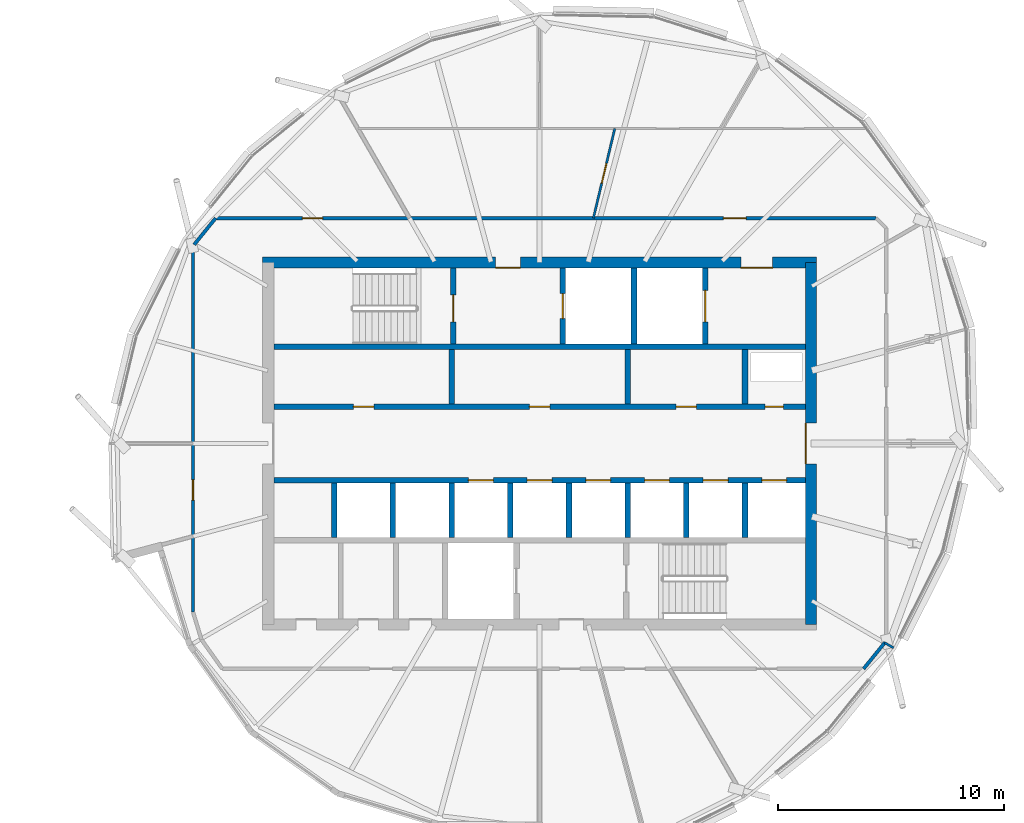
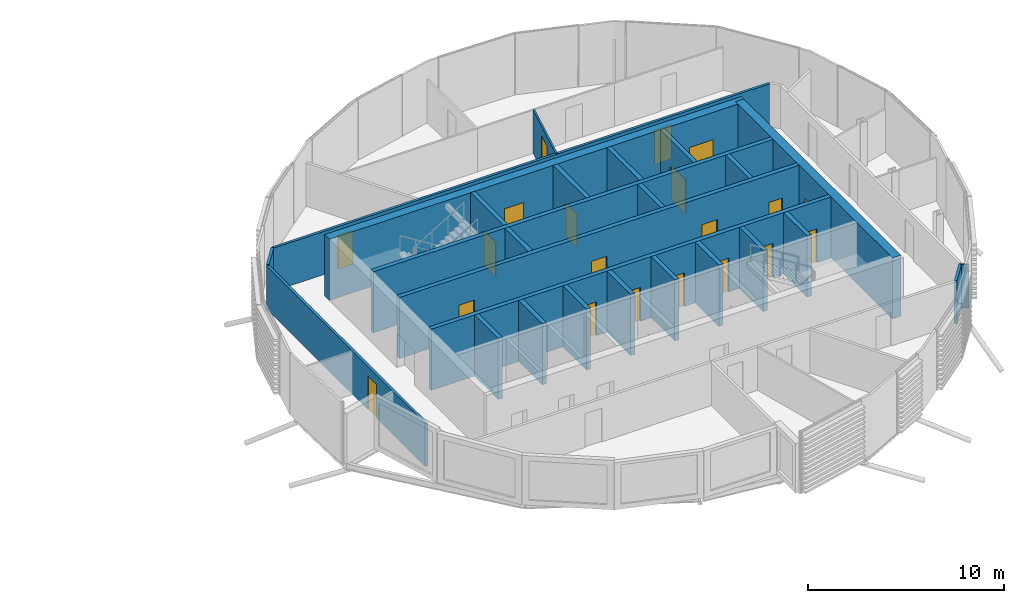
# One storey, part 20 of 34: 26 walls, 20 doors, 20 openings.
"""IFC4 building model written with IfcOpenShell, lengths in metres."""

from ifc_helpers import new_model, si_unit, direction, frame, frame_2d, origin, place, context, subcontext, project, spatial, rectangle, extrude, material, layer, layer_set, type_object, element, fill, save


model = new_model("IFC4")

# Units and contexts
model_context = context("Model", 3, precision=1e-05, world=origin(), true_north=direction((0.0, 1.0)))
body_context = subcontext(model_context, "Body", "Model", "MODEL_VIEW")
ifc_project = project(units=[si_unit("LENGTHUNIT", "METRE"), si_unit("AREAUNIT", "SQUARE_METRE"), si_unit("VOLUMEUNIT", "CUBIC_METRE"), si_unit("PLANEANGLEUNIT", "RADIAN"), si_unit("MASSUNIT", "GRAM", prefix="KILO")], contexts=[model_context])

# Site, building, storey
site_placement = place(None, origin())
site = spatial("IfcSite", under=ifc_project, at=site_placement, CompositionType="ELEMENT")
building_placement = place(site_placement, origin())
building = spatial("IfcBuilding", under=site, at=building_placement, Name="Rimbun Link Towers", CompositionType="ELEMENT")
storey_placement = place(building_placement, frame((0.0, 0.0, 252.300048828125)))
storey = spatial("IfcBuildingStorey", under=building, at=storey_placement, Name="L62", CompositionType="ELEMENT", Elevation=252.300048828125)

# Wall, openings, doors
ifc_material_1 = material(Name="Concrete C60/75", Category="concrete")
ifc_layer_1 = layer(ifc_material_1, 0.5)
ifc_layer_set_1 = layer_set([ifc_layer_1], Name="Core shear wall 500")
wall_type_1 = type_object("IfcWallType", Name="Core shear wall 500", PredefinedType="SHEAR", material=ifc_layer_set_1)
wall_1_placement = place(storey_placement, frame((19.5, 8.0, 0.0), z_axis=(0.0, 0.0, 1.0), x_axis=(1.0, 0.0, 0.0)))
wall_1 = element("IfcWall", 1, at=wall_1_placement, inside=storey, type_object=wall_type_1, Name="L62 T2 core wall N", PredefinedType="SHEAR", context=body_context, shape_type="SweptSolid", body=[
    extrude(rectangle(XDim=24.5, YDim=0.5, at=frame_2d((12.25, 0.0))), origin(), (0.0, 0.0, 1.0), 3.800048828125),
])
opening_1_placement = place(wall_1_placement, frame((10.300048828125, 0.0, 0.0)))
opening_1 = element("IfcOpeningElement", 2, at=opening_1_placement, cuts=wall_1, Name="Opening C2DCF01N", PredefinedType="OPENING", context=body_context, shape_type="SweptSolid", body=[
    extrude(rectangle(XDim=1.10009765625, YDim=2.10009765625, at=frame_2d((0.550048828125, 1.050048828125))), frame((0.0, 0.260009765625, 0.0), z_axis=(0.0, -1.0, 0.0), x_axis=(1.0, 0.0, 0.0)), (0.0, 0.0, 1.0), 0.52001953125),
])
opening_2_placement = place(wall_1_placement, frame((21.14990234375, 0.0, 0.0)))
opening_2 = element("IfcOpeningElement", 3, at=opening_2_placement, cuts=wall_1, Name="Opening C2DSL02N", PredefinedType="OPENING", context=body_context, shape_type="SweptSolid", body=[
    extrude(rectangle(XDim=1.39990234375, YDim=2.10009765625, at=frame_2d((0.699951171875, 1.050048828125))), frame((0.0, 0.260009765625, 0.0), z_axis=(0.0, -1.0, 0.0), x_axis=(1.0, 0.0, 0.0)), (0.0, 0.0, 1.0), 0.52001953125),
])
ifc_material_2 = material(Name="Steel fire door set", Category="steel")
door_type_1 = type_object("IfcDoorType", Name="Core fire door single", OperationType="SINGLE_SWING_LEFT", PredefinedType="DOOR", material=ifc_material_2)
door_1_placement = place(opening_1_placement, origin())
door_1 = element("IfcDoor", 4, at=door_1_placement, inside=storey, type_object=door_type_1, Name="L62 T2 firefighting lobby n door", OperationType="SINGLE_SWING_LEFT", OverallHeight=2.10009765625, OverallWidth=1.10009765625, PredefinedType="DOOR", context=body_context, shape_type="SweptSolid", body=[
    extrude(rectangle(XDim=1.10009765625, YDim=2.10009765625, at=frame_2d((0.550048828125, 1.050048828125))), frame((0.0, -0.2001953125, 0.0), z_axis=(0.0, -1.0, 0.0), x_axis=(1.0, 0.0, 0.0)), (0.0, 0.0, 1.0), 0.050048828125),
])
fill(opening_1, door_1)
ifc_material_3 = material(Name="Steel fire door set", Category="steel")
door_type_2 = type_object("IfcDoorType", Name="Service lobby door double", OperationType="DOUBLE_DOOR_SINGLE_SWING", PredefinedType="DOOR", material=ifc_material_3)
door_2_placement = place(opening_2_placement, origin())
door_2 = element("IfcDoor", 5, at=door_2_placement, inside=storey, type_object=door_type_2, Name="L62 T2 service lobby door", OperationType="DOUBLE_DOOR_SINGLE_SWING", OverallHeight=2.10009765625, OverallWidth=1.39990234375, PredefinedType="DOOR", context=body_context, shape_type="SweptSolid", body=[
    extrude(rectangle(XDim=1.39990234375, YDim=2.10009765625, at=frame_2d((0.699951171875, 1.050048828125))), frame((0.0, -0.2001953125, 0.0), z_axis=(0.0, -1.0, 0.0), x_axis=(1.0, 0.0, 0.0)), (0.0, 0.0, 1.0), 0.050048828125),
])
fill(opening_2, door_2)

# Wall, opening, door
wall_2_placement = place(storey_placement, frame((43.75, -8.0, 0.0), z_axis=(0.0, 0.0, 1.0), x_axis=(0.0, 1.0, 0.0)))
wall_2 = element("IfcWall", 6, at=wall_2_placement, inside=storey, type_object=wall_type_1, Name="L62 T2 core wall E", PredefinedType="SHEAR", context=body_context, shape_type="SweptSolid", body=[
    extrude(rectangle(XDim=16.0, YDim=0.5, at=frame_2d((8.0, 0.0))), origin(), (0.0, 0.0, 1.0), 3.800048828125),
])
opening_3_placement = place(wall_2_placement, frame((7.10009765625, 0.0, 0.0)))
opening_3 = element("IfcOpeningElement", 7, at=opening_3_placement, cuts=wall_2, Name="Opening C2DCL01E", PredefinedType="OPENING", context=body_context, shape_type="SweptSolid", body=[
    extrude(rectangle(XDim=1.800048828125, YDim=2.10009765625, at=frame_2d((0.89990234375, 1.050048828125))), frame((0.0, 0.260009765625, 0.0), z_axis=(0.0, -1.0, 0.0), x_axis=(1.0, 0.0, 0.0)), (0.0, 0.0, 1.0), 0.52001953125),
])
ifc_material_4 = material(Name="Steel fire door set", Category="steel")
door_type_3 = type_object("IfcDoorType", Name="Core lobby door double", OperationType="DOUBLE_DOOR_SINGLE_SWING", PredefinedType="DOOR", material=ifc_material_4)
door_3_placement = place(opening_3_placement, origin())
door_3 = element("IfcDoor", 8, at=door_3_placement, inside=storey, type_object=door_type_3, Name="L62 T2 lift lobby door", OperationType="DOUBLE_DOOR_SINGLE_SWING", OverallHeight=2.10009765625, OverallWidth=1.800048828125, PredefinedType="DOOR", context=body_context, shape_type="SweptSolid", body=[
    extrude(rectangle(XDim=1.800048828125, YDim=2.10009765625, at=frame_2d((0.89990234375, 1.050048828125))), frame((0.0, 0.25, 0.0), z_axis=(0.0, -1.0, 0.0), x_axis=(1.0, 0.0, 0.0)), (0.0, 0.0, 1.0), 0.050048828125),
])
fill(opening_3, door_3)

# Wall
ifc_material_5 = material(Name="Plasterboard on steel stud, mineral wool", Category="steel")
ifc_layer_2 = layer(ifc_material_5, 0.14990234375)
ifc_layer_set_2 = layer_set([ifc_layer_2], Name="Corridor wall EI 30 150 mm")
wall_type_2 = type_object("IfcWallType", Name="Corridor wall EI 30 150 mm", PredefinedType="PARTITIONING", material=ifc_layer_set_2)
wall_3_placement = place(storey_placement, frame((46.07568359375, -9.965087890625, 0.0), z_axis=(0.0, 0.0, 1.0), x_axis=(0.629146995638, 0.77728634227, 0.0)))
element("IfcWall", 9, at=wall_3_placement, inside=storey, type_object=wall_type_2, Name="Corridor wall EI 30 150 mm", PredefinedType="PARTITIONING", context=body_context, shape_type="SweptSolid", body=[
    extrude(rectangle(XDim=1.508056640625, YDim=0.14990234375, at=frame_2d((0.75390625, 0.0))), origin(), (0.0, 0.0, 1.0), 2.681884765625),
])

# Wall, opening, door
wall_4_placement = place(storey_placement, frame((16.425048828125, -7.4541015625, 0.0), z_axis=(0.0, 0.0, 1.0), x_axis=(0.0, 1.0, 0.0)))
wall_4 = element("IfcWall", 10, at=wall_4_placement, inside=storey, type_object=wall_type_2, Name="Corridor wall EI 30 150 mm", PredefinedType="PARTITIONING", context=body_context, shape_type="SweptSolid", body=[
    extrude(rectangle(XDim=16.146240234375, YDim=0.14990234375, at=frame_2d((8.0732421875, 0.0))), origin(), (0.0, 0.0, 1.0), 2.681884765625),
])
opening_4_placement = place(wall_4_placement, frame((4.950927734375, 0.0, 0.0)))
opening_4 = element("IfcOpeningElement", 11, at=opening_4_placement, cuts=wall_4, Name="Opening D02", PredefinedType="OPENING", context=body_context, shape_type="SweptSolid", body=[
    extrude(rectangle(XDim=0.89990234375, YDim=2.10009765625, at=frame_2d((0.449951171875, 1.050048828125))), frame((0.0, 0.0849609375, 0.0), z_axis=(0.0, -1.0, 0.0), x_axis=(1.0, 0.0, 0.0)), (0.0, 0.0, 1.0), 0.169921875),
])
ifc_material_6 = material(Name="Fire-resisting timber door leaf", Category="wood")
door_type_4 = type_object("IfcDoorType", Name="Fire door FD30S 900", OperationType="NOTDEFINED", PredefinedType="DOOR", material=ifc_material_6)
door_4_placement = place(opening_4_placement, origin())
door_4 = element("IfcDoor", 12, at=door_4_placement, inside=storey, type_object=door_type_4, Name="Fire door FD30S 900 to Meeting room", OperationType="SINGLE_SWING_LEFT", OverallHeight=2.10009765625, OverallWidth=0.89990234375, PredefinedType="DOOR", context=body_context, shape_type="SweptSolid", body=[
    extrude(rectangle(XDim=0.89990234375, YDim=2.10009765625, at=frame_2d((0.449951171875, 1.050048828125))), frame((0.0, 0.02490234375, 0.0), z_axis=(0.0, -1.0, 0.0), x_axis=(1.0, 0.0, 0.0)), (0.0, 0.0, 1.0), 0.050048828125),
])
fill(opening_4, door_4)

# Wall
wall_5_placement = place(storey_placement, frame((17.42431640625, 9.965087890625, 0.0), z_axis=(0.0, 0.0, 1.0), x_axis=(-0.629146995638, -0.77728634227, 0.0)))
element("IfcWall", 13, at=wall_5_placement, inside=storey, type_object=wall_type_2, Name="Corridor wall EI 30 150 mm", PredefinedType="PARTITIONING", context=body_context, shape_type="SweptSolid", body=[
    extrude(rectangle(XDim=1.508056640625, YDim=0.14990234375, at=frame_2d((0.75390625, 0.0))), origin(), (0.0, 0.0, 1.0), 2.681884765625),
])

# Wall, openings, doors
wall_6_placement = place(storey_placement, frame((17.42431640625, 9.965087890625, 0.0), z_axis=(0.0, 0.0, 1.0), x_axis=(1.0, 0.0, 0.0)))
wall_6 = element("IfcWall", 14, at=wall_6_placement, inside=storey, type_object=wall_type_2, Name="Corridor wall EI 30 150 mm", PredefinedType="PARTITIONING", context=body_context, shape_type="SweptSolid", body=[
    extrude(rectangle(XDim=29.20947265625, YDim=0.14990234375, at=frame_2d((14.604736328125, 0.0))), origin(), (0.0, 0.0, 1.0), 2.681884765625),
])
opening_5_placement = place(wall_6_placement, frame((22.456787109375, 0.0, 0.0)))
opening_5 = element("IfcOpeningElement", 15, at=opening_5_placement, cuts=wall_6, Name="Opening D01", PredefinedType="OPENING", context=body_context, shape_type="SweptSolid", body=[
    extrude(rectangle(XDim=1.0, YDim=2.10009765625, at=frame_2d((0.5, 1.050048828125))), frame((0.0, 0.0849609375, 0.0), z_axis=(0.0, -1.0, 0.0), x_axis=(1.0, 0.0, 0.0)), (0.0, 0.0, 1.0), 0.169921875),
])
opening_6_placement = place(wall_6_placement, frame((3.836181640625, 0.0, 0.0)))
opening_6 = element("IfcOpeningElement", 16, at=opening_6_placement, cuts=wall_6, Name="Opening D02", PredefinedType="OPENING", context=body_context, shape_type="SweptSolid", body=[
    extrude(rectangle(XDim=0.89990234375, YDim=2.10009765625, at=frame_2d((0.449951171875, 1.050048828125))), frame((0.0, 0.0849609375, 0.0), z_axis=(0.0, -1.0, 0.0), x_axis=(1.0, 0.0, 0.0)), (0.0, 0.0, 1.0), 0.169921875),
])
ifc_material_7 = material(Name="Fire-resisting timber door leaf", Category="wood")
door_type_5 = type_object("IfcDoorType", Name="Fire door FD30S 1000", OperationType="NOTDEFINED", PredefinedType="DOOR", material=ifc_material_7)
door_5_placement = place(opening_5_placement, origin())
door_5 = element("IfcDoor", 17, at=door_5_placement, inside=storey, type_object=door_type_5, Name="Fire door FD30S 1000 to Reception", OperationType="SINGLE_SWING_LEFT", OverallHeight=2.10009765625, OverallWidth=1.0, PredefinedType="DOOR", context=body_context, shape_type="SweptSolid", body=[
    extrude(rectangle(XDim=1.0, YDim=2.10009765625, at=frame_2d((0.5, 1.050048828125))), frame((0.0, 0.02490234375, 0.0), z_axis=(0.0, -1.0, 0.0), x_axis=(1.0, 0.0, 0.0)), (0.0, 0.0, 1.0), 0.050048828125),
])
fill(opening_5, door_5)
door_6_placement = place(opening_6_placement, origin())
door_6 = element("IfcDoor", 18, at=door_6_placement, inside=storey, type_object=door_type_4, Name="Fire door FD30S 900 to Boardroom", OperationType="SINGLE_SWING_RIGHT", OverallHeight=2.10009765625, OverallWidth=0.89990234375, PredefinedType="DOOR", context=body_context, shape_type="SweptSolid", body=[
    extrude(rectangle(XDim=0.89990234375, YDim=2.10009765625, at=frame_2d((0.449951171875, 1.050048828125))), frame((0.0, 0.02490234375, 0.0), z_axis=(0.0, -1.0, 0.0), x_axis=(1.0, 0.0, 0.0)), (0.0, 0.0, 1.0), 0.050048828125),
])
fill(opening_6, door_6)

# Wall
ifc_material_8 = material(Name="Plasterboard on steel stud", Category="steel")
ifc_layer_3 = layer(ifc_material_8, 0.10009765625)
ifc_layer_set_3 = layer_set([ifc_layer_3], Name="Plasterboard partition 100 mm")
wall_type_3 = type_object("IfcWallType", Name="Plasterboard partition 100 mm", PredefinedType="PARTITIONING", material=ifc_layer_set_3)
wall_7_placement = place(storey_placement, frame((47.40478515625, -9.038330078125, 0.0), z_axis=(0.0, 0.0, 1.0), x_axis=(-0.866158831638, 0.499768824934, 0.0)))
element("IfcWall", 19, at=wall_7_placement, inside=storey, type_object=wall_type_3, Name="Plasterboard partition 100 mm", PredefinedType="PARTITIONING", context=body_context, shape_type="SweptSolid", body=[
    extrude(rectangle(XDim=0.455810546875, YDim=0.10009765625, at=frame_2d((0.22802734375, 0.0))), origin(), (0.0, 0.0, 1.0), 2.681884765625),
])

# Wall, opening, door
wall_8_placement = place(storey_placement, frame((34.128662109375, 9.965087890625, 0.0), z_axis=(0.0, 0.0, 1.0), x_axis=(0.232193393639, 0.972669639677, 0.0)))
wall_8 = element("IfcWall", 20, at=wall_8_placement, inside=storey, type_object=wall_type_3, Name="Plasterboard partition 100 mm", PredefinedType="PARTITIONING", context=body_context, shape_type="SweptSolid", body=[
    extrude(rectangle(XDim=4.0712890625, YDim=0.10009765625, at=frame_2d((2.03564453125, 0.0))), origin(), (0.0, 0.0, 1.0), 2.681884765625),
])
opening_7_placement = place(wall_8_placement, frame((1.585693359375, 0.0, 0.0)))
opening_7 = element("IfcOpeningElement", 21, at=opening_7_placement, cuts=wall_8, Name="Opening D04", PredefinedType="OPENING", context=body_context, shape_type="SweptSolid", body=[
    extrude(rectangle(XDim=0.89990234375, YDim=2.10009765625, at=frame_2d((0.449951171875, 1.050048828125))), frame((0.0, 0.06005859375, 0.0), z_axis=(0.0, -1.0, 0.0), x_axis=(1.0, 0.0, 0.0)), (0.0, 0.0, 1.0), 0.1201171875),
])
ifc_material_9 = material(Name="Timber door leaf", Category="wood")
door_type_6 = type_object("IfcDoorType", Name="Flush door 900", OperationType="NOTDEFINED", PredefinedType="DOOR", material=ifc_material_9)
door_7_placement = place(opening_7_placement, origin())
door_7 = element("IfcDoor", 22, at=door_7_placement, inside=storey, type_object=door_type_6, Name="Flush door 900 to Meeting room", OperationType="SINGLE_SWING_LEFT", OverallHeight=2.10009765625, OverallWidth=0.89990234375, PredefinedType="DOOR", context=body_context, shape_type="SweptSolid", body=[
    extrude(rectangle(XDim=0.89990234375, YDim=2.10009765625, at=frame_2d((0.449951171875, 1.050048828125))), frame((0.0, 0.02490234375, 0.0), z_axis=(0.0, -1.0, 0.0), x_axis=(1.0, 0.0, 0.0)), (0.0, 0.0, 1.0), 0.050048828125),
])
fill(opening_7, door_7)

# Wall
ifc_material_10 = material(Name="Concrete C60/75", Category="concrete")
ifc_layer_4 = layer(ifc_material_10, 0.25)
ifc_layer_set_4 = layer_set([ifc_layer_4], Name="Shaft wall 250")
wall_type_4 = type_object("IfcWallType", Name="Shaft wall 250", PredefinedType="SHEAR", material=ifc_layer_set_4)
wall_9_placement = place(storey_placement, frame((20.0, 4.27490234375, 0.0), z_axis=(0.0, 0.0, 1.0), x_axis=(1.0, 0.0, 0.0)))
element("IfcWall", 23, at=wall_9_placement, inside=storey, type_object=wall_type_4, Name="L62 T2 core wall BN", PredefinedType="SHEAR", context=body_context, shape_type="SweptSolid", body=[
    extrude(rectangle(XDim=23.5, YDim=0.25, at=frame_2d((11.75, 0.0))), origin(), (0.0, 0.0, 1.0), 3.800048828125),
])

# Wall, openings, doors
wall_10_placement = place(storey_placement, frame((20.0, 1.625, 0.0), z_axis=(0.0, 0.0, 1.0), x_axis=(1.0, 0.0, 0.0)))
wall_10 = element("IfcWall", 24, at=wall_10_placement, inside=storey, type_object=wall_type_4, Name="L62 T2 core wall FN", PredefinedType="SHEAR", context=body_context, shape_type="SweptSolid", body=[
    extrude(rectangle(XDim=23.5, YDim=0.25, at=frame_2d((11.75, 0.0))), origin(), (0.0, 0.0, 1.0), 3.800048828125),
])
opening_8_placement = place(wall_10_placement, frame((3.5166015625, 0.0, 0.0)))
opening_8 = element("IfcOpeningElement", 25, at=opening_8_placement, cuts=wall_10, Name="Opening C2DRS01FN", PredefinedType="OPENING", context=body_context, shape_type="SweptSolid", body=[
    extrude(rectangle(XDim=0.89990234375, YDim=2.10009765625, at=frame_2d((0.449951171875, 1.050048828125))), frame((0.0, 0.135009765625, 0.0), z_axis=(0.0, -1.0, 0.0), x_axis=(1.0, 0.0, 0.0)), (0.0, 0.0, 1.0), 0.27001953125),
])
opening_9_placement = place(wall_10_placement, frame((11.300048828125, 0.0, 0.0)))
opening_9 = element("IfcOpeningElement", 26, at=opening_9_placement, cuts=wall_10, Name="Opening C2DRS02FN", PredefinedType="OPENING", context=body_context, shape_type="SweptSolid", body=[
    extrude(rectangle(XDim=0.89990234375, YDim=2.10009765625, at=frame_2d((0.449951171875, 1.050048828125))), frame((0.0, 0.135009765625, 0.0), z_axis=(0.0, -1.0, 0.0), x_axis=(1.0, 0.0, 0.0)), (0.0, 0.0, 1.0), 0.27001953125),
])
opening_10_placement = place(wall_10_placement, frame((17.7861328125, 0.0, 0.0)))
opening_10 = element("IfcOpeningElement", 27, at=opening_10_placement, cuts=wall_10, Name="Opening C2DRS03FN", PredefinedType="OPENING", context=body_context, shape_type="SweptSolid", body=[
    extrude(rectangle(XDim=0.89990234375, YDim=2.10009765625, at=frame_2d((0.449951171875, 1.050048828125))), frame((0.0, 0.135009765625, 0.0), z_axis=(0.0, -1.0, 0.0), x_axis=(1.0, 0.0, 0.0)), (0.0, 0.0, 1.0), 0.27001953125),
])
opening_11_placement = place(wall_10_placement, frame((21.727783203125, 0.0, 0.0)))
opening_11 = element("IfcOpeningElement", 28, at=opening_11_placement, cuts=wall_10, Name="Opening C2DRA04FN", PredefinedType="OPENING", context=body_context, shape_type="SweptSolid", body=[
    extrude(rectangle(XDim=0.800048828125, YDim=2.10009765625, at=frame_2d((0.39990234375, 1.050048828125))), frame((0.0, 0.135009765625, 0.0), z_axis=(0.0, -1.0, 0.0), x_axis=(1.0, 0.0, 0.0)), (0.0, 0.0, 1.0), 0.27001953125),
])
ifc_material_11 = material(Name="Steel fire door set", Category="steel")
door_type_7 = type_object("IfcDoorType", Name="Core riser door", OperationType="SINGLE_SWING_LEFT", PredefinedType="DOOR", material=ifc_material_11)
door_8_placement = place(opening_8_placement, origin())
door_8 = element("IfcDoor", 29, at=door_8_placement, inside=storey, type_object=door_type_7, Name="L62 T2 plant room door", OperationType="SINGLE_SWING_LEFT", OverallHeight=2.10009765625, OverallWidth=0.89990234375, PredefinedType="DOOR", context=body_context, shape_type="SweptSolid", body=[
    extrude(rectangle(XDim=0.89990234375, YDim=2.10009765625, at=frame_2d((0.449951171875, 1.050048828125))), frame((0.0, 0.02490234375, 0.0), z_axis=(0.0, -1.0, 0.0), x_axis=(1.0, 0.0, 0.0)), (0.0, 0.0, 1.0), 0.050048828125),
])
fill(opening_8, door_8)
door_9_placement = place(opening_9_placement, origin())
door_9 = element("IfcDoor", 30, at=door_9_placement, inside=storey, type_object=door_type_7, Name="L62 T2 wellness room door", OperationType="SINGLE_SWING_RIGHT", OverallHeight=2.10009765625, OverallWidth=0.89990234375, PredefinedType="DOOR", context=body_context, shape_type="SweptSolid", body=[
    extrude(rectangle(XDim=0.89990234375, YDim=2.10009765625, at=frame_2d((0.449951171875, 1.050048828125))), frame((0.0, 0.02490234375, 0.0), z_axis=(0.0, -1.0, 0.0), x_axis=(1.0, 0.0, 0.0)), (0.0, 0.0, 1.0), 0.050048828125),
])
fill(opening_9, door_9)
door_10_placement = place(opening_10_placement, origin())
door_10 = element("IfcDoor", 31, at=door_10_placement, inside=storey, type_object=door_type_7, Name="L62 T2 pantry door", OperationType="SINGLE_SWING_LEFT", OverallHeight=2.10009765625, OverallWidth=0.89990234375, PredefinedType="DOOR", context=body_context, shape_type="SweptSolid", body=[
    extrude(rectangle(XDim=0.89990234375, YDim=2.10009765625, at=frame_2d((0.449951171875, 1.050048828125))), frame((0.0, 0.02490234375, 0.0), z_axis=(0.0, -1.0, 0.0), x_axis=(1.0, 0.0, 0.0)), (0.0, 0.0, 1.0), 0.050048828125),
])
fill(opening_10, door_10)
ifc_material_12 = material(Name="Steel fire door set", Category="steel")
door_type_8 = type_object("IfcDoorType", Name="Riser access door 800 x 2100", OperationType="SINGLE_SWING_LEFT", PredefinedType="DOOR", material=ifc_material_12)
door_11_placement = place(opening_11_placement, origin())
door_11 = element("IfcDoor", 32, at=door_11_placement, inside=storey, type_object=door_type_8, Name="L62 T2 riser cupboard door", OperationType="SINGLE_SWING_LEFT", OverallHeight=2.10009765625, OverallWidth=0.800048828125, PredefinedType="DOOR", context=body_context, shape_type="SweptSolid", body=[
    extrude(rectangle(XDim=0.800048828125, YDim=2.10009765625, at=frame_2d((0.39990234375, 1.050048828125))), frame((0.0, 0.02490234375, 0.0), z_axis=(0.0, -1.0, 0.0), x_axis=(1.0, 0.0, 0.0)), (0.0, 0.0, 1.0), 0.050048828125),
])
fill(opening_11, door_11)

wall_11_placement = place(storey_placement, frame((20.0, -1.625, 0.0), z_axis=(0.0, 0.0, 1.0), x_axis=(1.0, 0.0, 0.0)))
wall_11 = element("IfcWall", 33, at=wall_11_placement, inside=storey, type_object=wall_type_4, Name="L62 T2 core wall FS", PredefinedType="SHEAR", context=body_context, shape_type="SweptSolid", body=[
    extrude(rectangle(XDim=23.5, YDim=0.25, at=frame_2d((11.75, 0.0))), origin(), (0.0, 0.0, 1.0), 3.800048828125),
])
opening_12_placement = place(wall_11_placement, frame((8.605712890625, 0.0, 0.0)))
opening_12 = element("IfcOpeningElement", 34, at=opening_12_placement, cuts=wall_11, Name="Opening LD-T2-HR1", PredefinedType="OPENING", context=body_context, shape_type="SweptSolid", body=[
    extrude(rectangle(XDim=1.10009765625, YDim=2.10009765625, at=frame_2d((0.550048828125, 1.050048828125))), frame((0.0, 0.135009765625, 0.0), z_axis=(0.0, -1.0, 0.0), x_axis=(1.0, 0.0, 0.0)), (0.0, 0.0, 1.0), 0.27001953125),
])
opening_13_placement = place(wall_11_placement, frame((11.199951171875, 0.0, 0.0)))
opening_13 = element("IfcOpeningElement", 35, at=opening_13_placement, cuts=wall_11, Name="Opening LD-T2-HR2", PredefinedType="OPENING", context=body_context, shape_type="SweptSolid", body=[
    extrude(rectangle(XDim=1.10009765625, YDim=2.10009765625, at=frame_2d((0.550048828125, 1.050048828125))), frame((0.0, 0.135009765625, 0.0), z_axis=(0.0, -1.0, 0.0), x_axis=(1.0, 0.0, 0.0)), (0.0, 0.0, 1.0), 0.27001953125),
])
opening_14_placement = place(wall_11_placement, frame((13.79443359375, 0.0, 0.0)))
opening_14 = element("IfcOpeningElement", 36, at=opening_14_placement, cuts=wall_11, Name="Opening LD-T2-HR3", PredefinedType="OPENING", context=body_context, shape_type="SweptSolid", body=[
    extrude(rectangle(XDim=1.10009765625, YDim=2.10009765625, at=frame_2d((0.550048828125, 1.050048828125))), frame((0.0, 0.135009765625, 0.0), z_axis=(0.0, -1.0, 0.0), x_axis=(1.0, 0.0, 0.0)), (0.0, 0.0, 1.0), 0.27001953125),
])
opening_15_placement = place(wall_11_placement, frame((16.388916015625, 0.0, 0.0)))
opening_15 = element("IfcOpeningElement", 37, at=opening_15_placement, cuts=wall_11, Name="Opening LD-T2-HR4", PredefinedType="OPENING", context=body_context, shape_type="SweptSolid", body=[
    extrude(rectangle(XDim=1.10009765625, YDim=2.10009765625, at=frame_2d((0.550048828125, 1.050048828125))), frame((0.0, 0.135009765625, 0.0), z_axis=(0.0, -1.0, 0.0), x_axis=(1.0, 0.0, 0.0)), (0.0, 0.0, 1.0), 0.27001953125),
])
opening_16_placement = place(wall_11_placement, frame((18.9833984375, 0.0, 0.0)))
opening_16 = element("IfcOpeningElement", 38, at=opening_16_placement, cuts=wall_11, Name="Opening LD-T2-HR5", PredefinedType="OPENING", context=body_context, shape_type="SweptSolid", body=[
    extrude(rectangle(XDim=1.10009765625, YDim=2.10009765625, at=frame_2d((0.550048828125, 1.050048828125))), frame((0.0, 0.135009765625, 0.0), z_axis=(0.0, -1.0, 0.0), x_axis=(1.0, 0.0, 0.0)), (0.0, 0.0, 1.0), 0.27001953125),
])
opening_17_placement = place(wall_11_placement, frame((21.577880859375, 0.0, 0.0)))
opening_17 = element("IfcOpeningElement", 39, at=opening_17_placement, cuts=wall_11, Name="Opening LD-T2-HR6", PredefinedType="OPENING", context=body_context, shape_type="SweptSolid", body=[
    extrude(rectangle(XDim=1.10009765625, YDim=2.10009765625, at=frame_2d((0.550048828125, 1.050048828125))), frame((0.0, 0.135009765625, 0.0), z_axis=(0.0, -1.0, 0.0), x_axis=(1.0, 0.0, 0.0)), (0.0, 0.0, 1.0), 0.27001953125),
])
ifc_material_13 = material(Name="Stainless steel grade 316", Category="steel")
door_type_9 = type_object("IfcDoorType", Name="Lift landing door", OperationType="DOUBLE_DOOR_SLIDING", PredefinedType="DOOR", material=ifc_material_13)
door_12_placement = place(opening_12_placement, origin())
door_12 = element("IfcDoor", 40, at=door_12_placement, inside=storey, type_object=door_type_9, Name="L62 T2 lift HR1 landing door", OperationType="DOUBLE_DOOR_SLIDING", OverallHeight=2.10009765625, OverallWidth=1.10009765625, PredefinedType="DOOR", context=body_context, shape_type="SweptSolid", body=[
    extrude(rectangle(XDim=1.10009765625, YDim=2.10009765625, at=frame_2d((0.550048828125, 1.050048828125))), frame((0.0, 0.02490234375, 0.0), z_axis=(0.0, -1.0, 0.0), x_axis=(1.0, 0.0, 0.0)), (0.0, 0.0, 1.0), 0.050048828125),
])
fill(opening_12, door_12)
door_13_placement = place(opening_13_placement, origin())
door_13 = element("IfcDoor", 41, at=door_13_placement, inside=storey, type_object=door_type_9, Name="L62 T2 lift HR2 landing door", OperationType="DOUBLE_DOOR_SLIDING", OverallHeight=2.10009765625, OverallWidth=1.10009765625, PredefinedType="DOOR", context=body_context, shape_type="SweptSolid", body=[
    extrude(rectangle(XDim=1.10009765625, YDim=2.10009765625, at=frame_2d((0.550048828125, 1.050048828125))), frame((0.0, 0.02490234375, 0.0), z_axis=(0.0, -1.0, 0.0), x_axis=(1.0, 0.0, 0.0)), (0.0, 0.0, 1.0), 0.050048828125),
])
fill(opening_13, door_13)
door_14_placement = place(opening_14_placement, origin())
door_14 = element("IfcDoor", 42, at=door_14_placement, inside=storey, type_object=door_type_9, Name="L62 T2 lift HR3 landing door", OperationType="DOUBLE_DOOR_SLIDING", OverallHeight=2.10009765625, OverallWidth=1.10009765625, PredefinedType="DOOR", context=body_context, shape_type="SweptSolid", body=[
    extrude(rectangle(XDim=1.10009765625, YDim=2.10009765625, at=frame_2d((0.550048828125, 1.050048828125))), frame((0.0, 0.02490234375, 0.0), z_axis=(0.0, -1.0, 0.0), x_axis=(1.0, 0.0, 0.0)), (0.0, 0.0, 1.0), 0.050048828125),
])
fill(opening_14, door_14)
door_15_placement = place(opening_15_placement, origin())
door_15 = element("IfcDoor", 43, at=door_15_placement, inside=storey, type_object=door_type_9, Name="L62 T2 lift HR4 landing door", OperationType="DOUBLE_DOOR_SLIDING", OverallHeight=2.10009765625, OverallWidth=1.10009765625, PredefinedType="DOOR", context=body_context, shape_type="SweptSolid", body=[
    extrude(rectangle(XDim=1.10009765625, YDim=2.10009765625, at=frame_2d((0.550048828125, 1.050048828125))), frame((0.0, 0.02490234375, 0.0), z_axis=(0.0, -1.0, 0.0), x_axis=(1.0, 0.0, 0.0)), (0.0, 0.0, 1.0), 0.050048828125),
])
fill(opening_15, door_15)
door_16_placement = place(opening_16_placement, origin())
door_16 = element("IfcDoor", 44, at=door_16_placement, inside=storey, type_object=door_type_9, Name="L62 T2 lift HR5 landing door", OperationType="DOUBLE_DOOR_SLIDING", OverallHeight=2.10009765625, OverallWidth=1.10009765625, PredefinedType="DOOR", context=body_context, shape_type="SweptSolid", body=[
    extrude(rectangle(XDim=1.10009765625, YDim=2.10009765625, at=frame_2d((0.550048828125, 1.050048828125))), frame((0.0, 0.02490234375, 0.0), z_axis=(0.0, -1.0, 0.0), x_axis=(1.0, 0.0, 0.0)), (0.0, 0.0, 1.0), 0.050048828125),
])
fill(opening_16, door_16)
door_17_placement = place(opening_17_placement, origin())
door_17 = element("IfcDoor", 45, at=door_17_placement, inside=storey, type_object=door_type_9, Name="L62 T2 lift HR6 landing door", OperationType="DOUBLE_DOOR_SLIDING", OverallHeight=2.10009765625, OverallWidth=1.10009765625, PredefinedType="DOOR", context=body_context, shape_type="SweptSolid", body=[
    extrude(rectangle(XDim=1.10009765625, YDim=2.10009765625, at=frame_2d((0.550048828125, 1.050048828125))), frame((0.0, 0.02490234375, 0.0), z_axis=(0.0, -1.0, 0.0), x_axis=(1.0, 0.0, 0.0)), (0.0, 0.0, 1.0), 0.050048828125),
])
fill(opening_17, door_17)

# Walls
for number, where, z_axis, x_axis, name in (
    (46, (27.8583984375, 1.75, 0.0), (0.0, 0.0, 1.0), (0.0, 1.0, 0.0), "L62 T2 core wall DN2"),
    (47, (35.6416015625, 1.75, 0.0), (0.0, 0.0, 1.0), (0.0, 1.0, 0.0), "L62 T2 core wall DN5"),
    (48, (40.83056640625, 1.75, 0.0), (0.0, 0.0, 1.0), (0.0, 1.0, 0.0), "L62 T2 core wall DN7"),
    (49, (22.66943359375, -4.14990234375, 0.0), (0.0, 0.0, 1.0), (0.0, 1.0, 0.0), "L62 T2 core wall DS0"),
    (50, (25.263916015625, -4.14990234375, 0.0), (0.0, 0.0, 1.0), (0.0, 1.0, 0.0), "L62 T2 core wall DS1"),
    (51, (27.8583984375, -4.14990234375, 0.0), (0.0, 0.0, 1.0), (0.0, 1.0, 0.0), "L62 T2 core wall DS2"),
    (52, (30.452880859375, -4.14990234375, 0.0), (0.0, 0.0, 1.0), (0.0, 1.0, 0.0), "L62 T2 core wall DS3"),
    (53, (33.047119140625, -4.14990234375, 0.0), (0.0, 0.0, 1.0), (0.0, 1.0, 0.0), "L62 T2 core wall DS4"),
    (54, (35.6416015625, -4.14990234375, 0.0), (0.0, 0.0, 1.0), (0.0, 1.0, 0.0), "L62 T2 core wall DS5"),
    (55, (38.236083984375, -4.14990234375, 0.0), (0.0, 0.0, 1.0), (0.0, 1.0, 0.0), "L62 T2 core wall DS6"),
    (56, (40.83056640625, -4.14990234375, 0.0), (0.0, 0.0, 1.0), (0.0, 1.0, 0.0), "L62 T2 core wall DS7"),
):
    element("IfcWall", number, at=place(storey_placement, frame(where, z_axis=z_axis, x_axis=x_axis)), inside=storey, type_object=wall_type_4, Name=name, PredefinedType="SHEAR", context=body_context, shape_type="SweptSolid", body=[
        extrude(rectangle(XDim=2.39990234375, YDim=0.25, at=frame_2d((1.199951171875, 0.0))), origin(), (0.0, 0.0, 1.0), 3.800048828125),
    ])

# Wall, opening, door
wall_12_placement = place(storey_placement, frame((27.925048828125, 4.39990234375, 0.0), z_axis=(0.0, 0.0, 1.0), x_axis=(0.0, 1.0, 0.0)))
wall_12 = element("IfcWall", 57, at=wall_12_placement, inside=storey, type_object=wall_type_4, Name="L62 T2 core wall A1", PredefinedType="SHEAR", context=body_context, shape_type="SweptSolid", body=[
    extrude(rectangle(XDim=3.35009765625, YDim=0.25, at=frame_2d((1.675048828125, 0.0))), origin(), (0.0, 0.0, 1.0), 3.800048828125),
])
opening_18_placement = place(wall_12_placement, frame((0.97509765625, 0.0, 0.0)))
opening_18 = element("IfcOpeningElement", 58, at=opening_18_placement, cuts=wall_12, Name="Opening C2DST01A1", PredefinedType="OPENING", context=body_context, shape_type="SweptSolid", body=[
    extrude(rectangle(XDim=1.199951171875, YDim=2.10009765625, at=frame_2d((0.60009765625, 1.050048828125))), frame((0.0, 0.135009765625, 0.0), z_axis=(0.0, -1.0, 0.0), x_axis=(1.0, 0.0, 0.0)), (0.0, 0.0, 1.0), 0.27001953125),
])
ifc_material_14 = material(Name="Steel fire door set", Category="steel")
door_type_10 = type_object("IfcDoorType", Name="Stair door", OperationType="SINGLE_SWING_LEFT", PredefinedType="DOOR", material=ifc_material_14)
door_18_placement = place(opening_18_placement, origin())
door_18 = element("IfcDoor", 59, at=door_18_placement, inside=storey, type_object=door_type_10, Name="L62 T2 stair a door", OperationType="SINGLE_SWING_RIGHT", OverallHeight=2.10009765625, OverallWidth=1.199951171875, PredefinedType="DOOR", context=body_context, shape_type="SweptSolid", body=[
    extrude(rectangle(XDim=1.199951171875, YDim=2.10009765625, at=frame_2d((0.60009765625, 1.050048828125))), frame((0.0, 0.02490234375, 0.0), z_axis=(0.0, -1.0, 0.0), x_axis=(1.0, 0.0, 0.0)), (0.0, 0.0, 1.0), 0.050048828125),
])
fill(opening_18, door_18)

wall_13_placement = place(storey_placement, frame((32.77490234375, 4.39990234375, 0.0), z_axis=(0.0, 0.0, 1.0), x_axis=(0.0, 1.0, 0.0)))
wall_13 = element("IfcWall", 60, at=wall_13_placement, inside=storey, type_object=wall_type_4, Name="L62 T2 core wall A2", PredefinedType="SHEAR", context=body_context, shape_type="SweptSolid", body=[
    extrude(rectangle(XDim=3.35009765625, YDim=0.25, at=frame_2d((1.675048828125, 0.0))), origin(), (0.0, 0.0, 1.0), 3.800048828125),
])
opening_19_placement = place(wall_13_placement, frame((1.125, 0.0, 0.0)))
opening_19 = element("IfcOpeningElement", 61, at=opening_19_placement, cuts=wall_13, Name="Opening LD-T2-FF1", PredefinedType="OPENING", context=body_context, shape_type="SweptSolid", body=[
    extrude(rectangle(XDim=1.10009765625, YDim=2.10009765625, at=frame_2d((0.550048828125, 1.050048828125))), frame((0.0, 0.135009765625, 0.0), z_axis=(0.0, -1.0, 0.0), x_axis=(1.0, 0.0, 0.0)), (0.0, 0.0, 1.0), 0.27001953125),
])
door_19_placement = place(opening_19_placement, origin())
door_19 = element("IfcDoor", 62, at=door_19_placement, inside=storey, type_object=door_type_9, Name="L62 T2 lift FF1 landing door", OperationType="DOUBLE_DOOR_SLIDING", OverallHeight=2.10009765625, OverallWidth=1.10009765625, PredefinedType="DOOR", context=body_context, shape_type="SweptSolid", body=[
    extrude(rectangle(XDim=1.10009765625, YDim=2.10009765625, at=frame_2d((0.550048828125, 1.050048828125))), frame((0.0, 0.02490234375, 0.0), z_axis=(0.0, -1.0, 0.0), x_axis=(1.0, 0.0, 0.0)), (0.0, 0.0, 1.0), 0.050048828125),
])
fill(opening_19, door_19)

# Wall
wall_14_placement = place(storey_placement, frame((35.925048828125, 4.39990234375, 0.0), z_axis=(0.0, 0.0, 1.0), x_axis=(0.0, 1.0, 0.0)))
element("IfcWall", 63, at=wall_14_placement, inside=storey, type_object=wall_type_4, Name="L62 T2 core wall A3", PredefinedType="SHEAR", context=body_context, shape_type="SweptSolid", body=[
    extrude(rectangle(XDim=3.35009765625, YDim=0.25, at=frame_2d((1.675048828125, 0.0))), origin(), (0.0, 0.0, 1.0), 3.800048828125),
])

# Wall, opening, door
wall_15_placement = place(storey_placement, frame((39.074951171875, 4.39990234375, 0.0), z_axis=(0.0, 0.0, 1.0), x_axis=(0.0, 1.0, 0.0)))
wall_15 = element("IfcWall", 64, at=wall_15_placement, inside=storey, type_object=wall_type_4, Name="L62 T2 core wall A4", PredefinedType="SHEAR", context=body_context, shape_type="SweptSolid", body=[
    extrude(rectangle(XDim=3.35009765625, YDim=0.25, at=frame_2d((1.675048828125, 0.0))), origin(), (0.0, 0.0, 1.0), 3.800048828125),
])
opening_20_placement = place(wall_15_placement, frame((0.97509765625, 0.0, 0.0)))
opening_20 = element("IfcOpeningElement", 65, at=opening_20_placement, cuts=wall_15, Name="Opening LD-T2-GL1", PredefinedType="OPENING", context=body_context, shape_type="SweptSolid", body=[
    extrude(rectangle(XDim=1.39990234375, YDim=2.10009765625, at=frame_2d((0.699951171875, 1.050048828125))), frame((0.0, 0.135009765625, 0.0), z_axis=(0.0, -1.0, 0.0), x_axis=(1.0, 0.0, 0.0)), (0.0, 0.0, 1.0), 0.27001953125),
])
ifc_material_15 = material(Name="Stainless steel grade 316", Category="steel")
door_type_11 = type_object("IfcDoorType", Name="Goods lift landing door", OperationType="DOUBLE_DOOR_SLIDING", PredefinedType="DOOR", material=ifc_material_15)
door_20_placement = place(opening_20_placement, origin())
door_20 = element("IfcDoor", 66, at=door_20_placement, inside=storey, type_object=door_type_11, Name="L62 T2 lift GL1 landing door", OperationType="DOUBLE_DOOR_SLIDING", OverallHeight=2.10009765625, OverallWidth=1.39990234375, PredefinedType="DOOR", context=body_context, shape_type="SweptSolid", body=[
    extrude(rectangle(XDim=1.39990234375, YDim=2.10009765625, at=frame_2d((0.699951171875, 1.050048828125))), frame((0.0, 0.02490234375, 0.0), z_axis=(0.0, -1.0, 0.0), x_axis=(1.0, 0.0, 0.0)), (0.0, 0.0, 1.0), 0.050048828125),
])
fill(opening_20, door_20)

save(model, "model.ifc")
